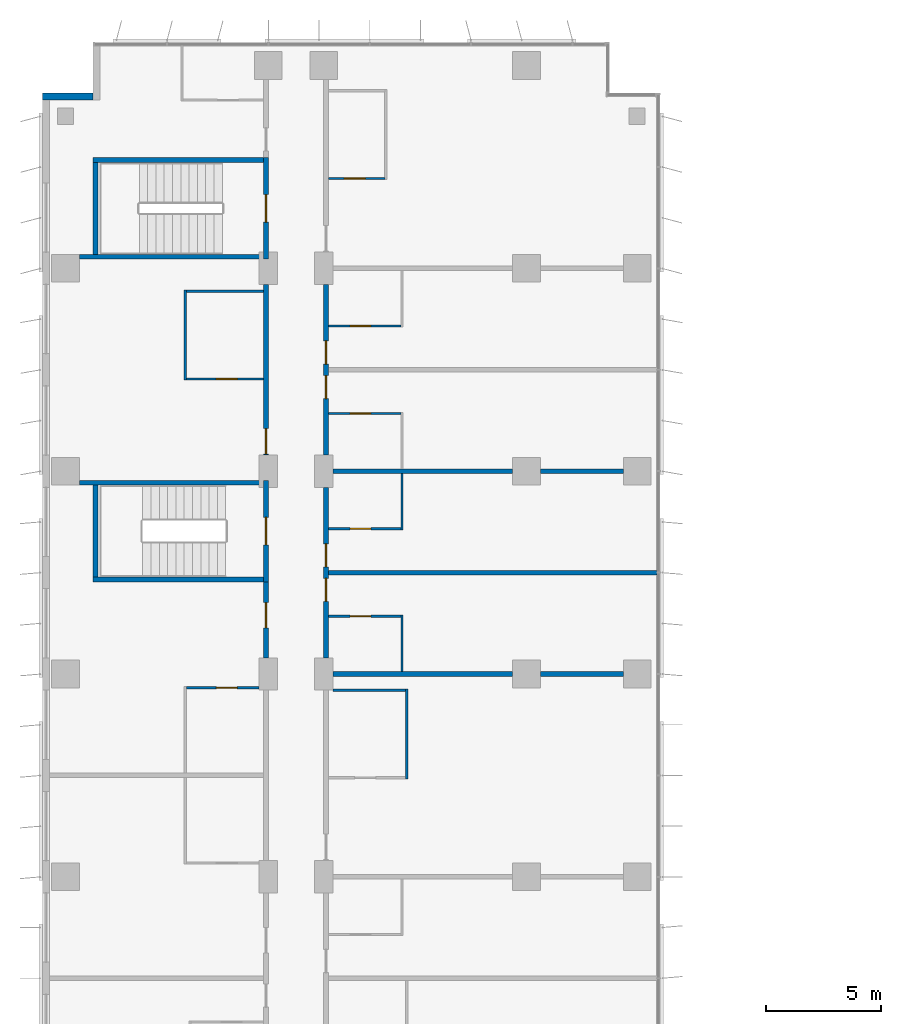
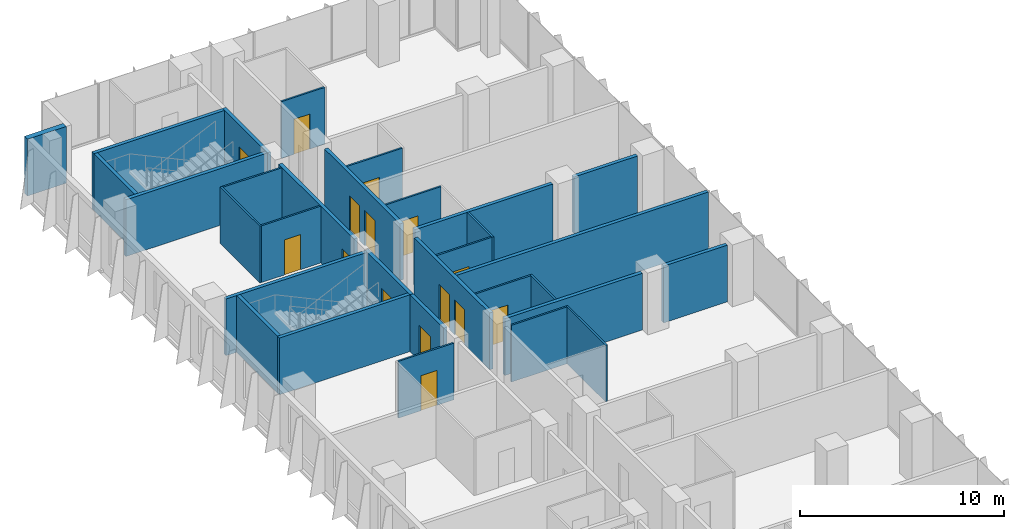
# One storey, part 16 of 22: 31 walls, 15 doors, 15 openings.
"""IFC4 building model written with IfcOpenShell, lengths in metres."""

from ifc_helpers import new_model, si_unit, direction, frame, frame_2d, origin, place, context, subcontext, project, spatial, rectangle, extrude, material, layer, layer_set, type_object, element, fill, save


model = new_model("IFC4")

# Units and contexts
model_context = context("Model", 3, precision=1e-05, world=origin(), true_north=direction((0.0, 1.0)))
body_context = subcontext(model_context, "Body", "Model", "MODEL_VIEW")
ifc_project = project(units=[si_unit("LENGTHUNIT", "METRE"), si_unit("AREAUNIT", "SQUARE_METRE"), si_unit("VOLUMEUNIT", "CUBIC_METRE"), si_unit("PLANEANGLEUNIT", "RADIAN"), si_unit("MASSUNIT", "GRAM", prefix="KILO")], contexts=[model_context])

# Site, building, storey
site_placement = place(None, origin())
site = spatial("IfcSite", under=ifc_project, at=site_placement, CompositionType="ELEMENT")
building_placement = place(site_placement, origin())
building = spatial("IfcBuilding", under=site, at=building_placement, Name="Kemantara Hotel Tower", CompositionType="ELEMENT")
storey_placement = place(building_placement, frame((0.0, 0.0, 90.800048828125)))
storey = spatial("IfcBuildingStorey", under=building, at=storey_placement, Name="L21", CompositionType="ELEMENT", Elevation=90.800048828125)

# Wall
ifc_material_1 = material(Name="Bronze anodised aluminium cladding on insulated steel stud wall", Category="steel")
ifc_layer_1 = layer(ifc_material_1, 0.300048828125)
ifc_layer_set_1 = layer_set([ifc_layer_1], Name="Bronze anodised aluminium cladding on insulated steel stud wall")
wall_type_1 = type_object("IfcWallType", Name="BRONZE METAL-CLAD EXTERNAL WALL 300", PredefinedType="STANDARD", material=ifc_layer_set_1)
wall_1_placement = place(storey_placement, frame((2.199951171875, 78.85009765625, 0.0), z_axis=(0.0, 0.0, 1.0), x_axis=(-1.0, 0.0, 0.0)))
element("IfcWall", 1, at=wall_1_placement, inside=storey, type_object=wall_type_1, Name="EXTERNAL WALL L21 T2-R03", PredefinedType="STANDARD", context=body_context, shape_type="SweptSolid", body=[
    extrude(rectangle(XDim=2.199951171875, YDim=0.300048828125, at=frame_2d((1.10009765625, 0.0))), origin(), (0.0, 0.0, 1.0), 3.39990234375),
])

# Wall, opening, door
ifc_material_2 = material(Name="Gypsum board partition, steel studs and mineral wool, 200 mm", Category="steel")
ifc_layer_2 = layer(ifc_material_2, 0.199951171875)
ifc_layer_set_2 = layer_set([ifc_layer_2], Name="Gypsum board partition, steel studs and mineral wool, 200 mm")
wall_type_2 = type_object("IfcWallType", Name="CORRIDOR WALL 200", PredefinedType="PARTITIONING", material=ifc_layer_set_2)
wall_2_placement = place(storey_placement, frame((9.699951171875, 54.5, 0.0), z_axis=(0.0, 0.0, 1.0), x_axis=(0.0, 1.0, 0.0)))
wall_2 = element("IfcWall", 2, at=wall_2_placement, inside=storey, type_object=wall_type_2, Name="CORRIDOR WALL 200 021", PredefinedType="PARTITIONING", context=body_context, shape_type="SweptSolid", body=[
    extrude(rectangle(XDim=3.300048828125, YDim=0.199951171875, at=frame_2d((1.64990234375, 0.0))), origin(), (0.0, 0.0, 1.0), 3.39990234375),
])
opening_1_placement = place(wall_2_placement, frame((1.2998046875, 0.0, 0.0)))
opening_1 = element("IfcOpeningElement", 3, at=opening_1_placement, cuts=wall_2, Name="Opening F08-027", PredefinedType="OPENING", context=body_context, shape_type="SweptSolid", body=[
    extrude(rectangle(XDim=1.10009765625, YDim=2.10009765625, at=frame_2d((0.550048828125, 1.050048828125))), frame((0.0, 0.10986328125, 0.0), z_axis=(0.0, -1.0, 0.0), x_axis=(1.0, 0.0, 0.0)), (0.0, 0.0, 1.0), 0.219970703125),
])
ifc_material_3 = material(Name="Hardwood veneer door leaf with steel frame", Category="steel")
door_type_1 = type_object("IfcDoorType", Name="SUITE ENTRANCE DOOR 1100 X 2100 FD30S", OperationType="NOTDEFINED", PredefinedType="DOOR", material=ifc_material_3)
door_1_placement = place(opening_1_placement, origin())
door_1 = element("IfcDoor", 4, at=door_1_placement, inside=storey, type_object=door_type_1, Name="SUITE ENTRANCE DOOR F08-027", OperationType="SINGLE_SWING_RIGHT", OverallHeight=2.10009765625, OverallWidth=1.10009765625, PredefinedType="DOOR", context=body_context, shape_type="SweptSolid", body=[
    extrude(rectangle(XDim=1.10009765625, YDim=2.10009765625, at=frame_2d((0.550048828125, 1.050048828125))), frame((0.0, 0.02490234375, 0.0), z_axis=(0.0, -1.0, 0.0), x_axis=(1.0, 0.0, 0.0)), (0.0, 0.0, 1.0), 0.050048828125),
])
fill(opening_1, door_1)

wall_3_placement = place(storey_placement, frame((9.699951171875, 63.300048828125, 0.0), z_axis=(0.0, 0.0, 1.0), x_axis=(0.0, 1.0, 0.0)))
wall_3 = element("IfcWall", 5, at=wall_3_placement, inside=storey, type_object=wall_type_2, Name="CORRIDOR WALL 200 022", PredefinedType="PARTITIONING", context=body_context, shape_type="SweptSolid", body=[
    extrude(rectangle(XDim=7.39990234375, YDim=0.199951171875, at=frame_2d((3.699951171875, 0.0))), origin(), (0.0, 0.0, 1.0), 3.39990234375),
])
opening_2_placement = place(wall_3_placement, frame((0.0498046875, 0.0, 0.0)))
opening_2 = element("IfcOpeningElement", 6, at=opening_2_placement, cuts=wall_3, Name="Opening F08-029", PredefinedType="OPENING", context=body_context, shape_type="SweptSolid", body=[
    extrude(rectangle(XDim=1.10009765625, YDim=2.10009765625, at=frame_2d((0.550048828125, 1.050048828125))), frame((0.0, 0.10986328125, 0.0), z_axis=(0.0, -1.0, 0.0), x_axis=(1.0, 0.0, 0.0)), (0.0, 0.0, 1.0), 0.219970703125),
])
door_2_placement = place(opening_2_placement, origin())
door_2 = element("IfcDoor", 7, at=door_2_placement, inside=storey, type_object=door_type_1, Name="SUITE ENTRANCE DOOR F08-029", OperationType="SINGLE_SWING_LEFT", OverallHeight=2.10009765625, OverallWidth=1.10009765625, PredefinedType="DOOR", context=body_context, shape_type="SweptSolid", body=[
    extrude(rectangle(XDim=1.10009765625, YDim=2.10009765625, at=frame_2d((0.550048828125, 1.050048828125))), frame((0.0, 0.02490234375, 0.0), z_axis=(0.0, -1.0, 0.0), x_axis=(1.0, 0.0, 0.0)), (0.0, 0.0, 1.0), 0.050048828125),
])
fill(opening_2, door_2)

# Wall, openings, doors
wall_4_placement = place(storey_placement, frame((12.300048828125, 61.89990234375, 0.0), z_axis=(0.0, 0.0, 1.0), x_axis=(0.0, -1.0, 0.0)))
wall_4 = element("IfcWall", 8, at=wall_4_placement, inside=storey, type_object=wall_type_2, Name="CORRIDOR WALL 200 034", PredefinedType="PARTITIONING", context=body_context, shape_type="SweptSolid", body=[
    extrude(rectangle(XDim=7.39990234375, YDim=0.199951171875, at=frame_2d((3.699951171875, 0.0))), origin(), (0.0, 0.0, 1.0), 3.39990234375),
])
opening_3_placement = place(wall_4_placement, frame((3.949951171875, 0.0, 0.0)))
opening_3 = element("IfcOpeningElement", 9, at=opening_3_placement, cuts=wall_4, Name="Opening F08-041", PredefinedType="OPENING", context=body_context, shape_type="SweptSolid", body=[
    extrude(rectangle(XDim=1.0, YDim=2.10009765625, at=frame_2d((0.5, 1.050048828125))), frame((0.0, 0.10986328125, 0.0), z_axis=(0.0, -1.0, 0.0), x_axis=(1.0, 0.0, 0.0)), (0.0, 0.0, 1.0), 0.219970703125),
])
opening_4_placement = place(wall_4_placement, frame((2.449951171875, 0.0, 0.0)))
opening_4 = element("IfcOpeningElement", 10, at=opening_4_placement, cuts=wall_4, Name="Opening F08-043", PredefinedType="OPENING", context=body_context, shape_type="SweptSolid", body=[
    extrude(rectangle(XDim=1.0, YDim=2.10009765625, at=frame_2d((0.5, 1.050048828125))), frame((0.0, 0.10986328125, 0.0), z_axis=(0.0, -1.0, 0.0), x_axis=(1.0, 0.0, 0.0)), (0.0, 0.0, 1.0), 0.219970703125),
])
door_type_2 = type_object("IfcDoorType", Name="GUEST ROOM DOOR 1000 X 2100 FD30S", OperationType="NOTDEFINED", PredefinedType="DOOR", material=ifc_material_3)
door_3_placement = place(opening_3_placement, origin())
door_3 = element("IfcDoor", 11, at=door_3_placement, inside=storey, type_object=door_type_2, Name="GUEST ROOM DOOR F08-041", OperationType="SINGLE_SWING_LEFT", OverallHeight=2.10009765625, OverallWidth=1.0, PredefinedType="DOOR", context=body_context, shape_type="SweptSolid", body=[
    extrude(rectangle(XDim=1.0, YDim=2.10009765625, at=frame_2d((0.5, 1.050048828125))), frame((0.0, 0.02490234375, 0.0), z_axis=(0.0, -1.0, 0.0), x_axis=(1.0, 0.0, 0.0)), (0.0, 0.0, 1.0), 0.050048828125),
])
fill(opening_3, door_3)
door_4_placement = place(opening_4_placement, origin())
door_4 = element("IfcDoor", 12, at=door_4_placement, inside=storey, type_object=door_type_2, Name="GUEST ROOM DOOR F08-043", OperationType="SINGLE_SWING_RIGHT", OverallHeight=2.10009765625, OverallWidth=1.0, PredefinedType="DOOR", context=body_context, shape_type="SweptSolid", body=[
    extrude(rectangle(XDim=1.0, YDim=2.10009765625, at=frame_2d((0.5, 1.050048828125))), frame((0.0, 0.02490234375, 0.0), z_axis=(0.0, -1.0, 0.0), x_axis=(1.0, 0.0, 0.0)), (0.0, 0.0, 1.0), 0.050048828125),
])
fill(opening_4, door_4)

wall_5_placement = place(storey_placement, frame((12.300048828125, 70.699951171875, 0.0), z_axis=(0.0, 0.0, 1.0), x_axis=(0.0, -1.0, 0.0)))
wall_5 = element("IfcWall", 13, at=wall_5_placement, inside=storey, type_object=wall_type_2, Name="CORRIDOR WALL 200 035", PredefinedType="PARTITIONING", context=body_context, shape_type="SweptSolid", body=[
    extrude(rectangle(XDim=7.39990234375, YDim=0.199951171875, at=frame_2d((3.699951171875, 0.0))), origin(), (0.0, 0.0, 1.0), 3.39990234375),
])
opening_5_placement = place(wall_5_placement, frame((3.949951171875, 0.0, 0.0)))
opening_5 = element("IfcOpeningElement", 14, at=opening_5_placement, cuts=wall_5, Name="Opening F08-045", PredefinedType="OPENING", context=body_context, shape_type="SweptSolid", body=[
    extrude(rectangle(XDim=1.0, YDim=2.10009765625, at=frame_2d((0.5, 1.050048828125))), frame((0.0, 0.10986328125, 0.0), z_axis=(0.0, -1.0, 0.0), x_axis=(1.0, 0.0, 0.0)), (0.0, 0.0, 1.0), 0.219970703125),
])
opening_6_placement = place(wall_5_placement, frame((2.449951171875, 0.0, 0.0)))
opening_6 = element("IfcOpeningElement", 15, at=opening_6_placement, cuts=wall_5, Name="Opening F08-047", PredefinedType="OPENING", context=body_context, shape_type="SweptSolid", body=[
    extrude(rectangle(XDim=1.0, YDim=2.10009765625, at=frame_2d((0.5, 1.050048828125))), frame((0.0, 0.10986328125, 0.0), z_axis=(0.0, -1.0, 0.0), x_axis=(1.0, 0.0, 0.0)), (0.0, 0.0, 1.0), 0.219970703125),
])
door_5_placement = place(opening_5_placement, origin())
door_5 = element("IfcDoor", 16, at=door_5_placement, inside=storey, type_object=door_type_2, Name="GUEST ROOM DOOR F08-045", OperationType="SINGLE_SWING_LEFT", OverallHeight=2.10009765625, OverallWidth=1.0, PredefinedType="DOOR", context=body_context, shape_type="SweptSolid", body=[
    extrude(rectangle(XDim=1.0, YDim=2.10009765625, at=frame_2d((0.5, 1.050048828125))), frame((0.0, 0.02490234375, 0.0), z_axis=(0.0, -1.0, 0.0), x_axis=(1.0, 0.0, 0.0)), (0.0, 0.0, 1.0), 0.050048828125),
])
fill(opening_5, door_5)
door_6_placement = place(opening_6_placement, origin())
door_6 = element("IfcDoor", 17, at=door_6_placement, inside=storey, type_object=door_type_2, Name="GUEST ROOM DOOR F08-047", OperationType="SINGLE_SWING_RIGHT", OverallHeight=2.10009765625, OverallWidth=1.0, PredefinedType="DOOR", context=body_context, shape_type="SweptSolid", body=[
    extrude(rectangle(XDim=1.0, YDim=2.10009765625, at=frame_2d((0.5, 1.050048828125))), frame((0.0, 0.02490234375, 0.0), z_axis=(0.0, -1.0, 0.0), x_axis=(1.0, 0.0, 0.0)), (0.0, 0.0, 1.0), 0.050048828125),
])
fill(opening_6, door_6)

# Wall, opening, door
ifc_material_4 = material(Name="Concrete fc 40 MPa", Category="concrete")
ifc_layer_3 = layer(ifc_material_4, 0.199951171875)
ifc_layer_set_3 = layer_set([ifc_layer_3], Name="Concrete fc 40 MPa")
wall_type_3 = type_object("IfcWallType", Name="Concrete stair wall 200 mm", PredefinedType="SHEAR", material=ifc_layer_set_3)
wall_6_placement = place(storey_placement, frame((9.699951171875, 57.800048828125, 0.0), z_axis=(0.0, 0.0, 1.0), x_axis=(0.0, 1.0, 0.0)))
wall_6 = element("IfcWall", 18, at=wall_6_placement, inside=storey, type_object=wall_type_3, Name="Stair ST4 enclosure wall with door", PredefinedType="SHEAR", context=body_context, shape_type="SweptSolid", body=[
    extrude(rectangle(XDim=4.39990234375, YDim=0.199951171875, at=frame_2d((2.199951171875, 0.0))), origin(), (0.0, 0.0, 1.0), 3.39990234375),
])
opening_7_placement = place(wall_6_placement, frame((1.60009765625, 0.0, 0.0)))
opening_7 = element("IfcOpeningElement", 19, at=opening_7_placement, cuts=wall_6, Name="Opening ST4-C", PredefinedType="OPENING", context=body_context, shape_type="SweptSolid", body=[
    extrude(rectangle(XDim=1.199951171875, YDim=2.10009765625, at=frame_2d((0.60009765625, 1.050048828125))), frame((0.0, 0.10986328125, 0.0), z_axis=(0.0, -1.0, 0.0), x_axis=(1.0, 0.0, 0.0)), (0.0, 0.0, 1.0), 0.219970703125),
])
ifc_material_5 = material(Name="Steel fire door", Category="steel")
door_type_3 = type_object("IfcDoorType", Name="Fire door FD90 1200 x 2100", OperationType="NOTDEFINED", PredefinedType="DOOR", material=ifc_material_5)
door_7_placement = place(opening_7_placement, origin())
door_7 = element("IfcDoor", 20, at=door_7_placement, inside=storey, type_object=door_type_3, Name="Stair ST4 door", OperationType="SINGLE_SWING_RIGHT", OverallHeight=2.10009765625, OverallWidth=1.199951171875, PredefinedType="DOOR", context=body_context, shape_type="SweptSolid", body=[
    extrude(rectangle(XDim=1.199951171875, YDim=2.10009765625, at=frame_2d((0.60009765625, 1.050048828125))), frame((0.0, 0.02490234375, 0.0), z_axis=(0.0, -1.0, 0.0), x_axis=(1.0, 0.0, 0.0)), (0.0, 0.0, 1.0), 0.050048828125),
])
fill(opening_7, door_7)

# Walls
wall_7_placement = place(storey_placement, frame((1.60009765625, 62.10009765625, 0.0), z_axis=(0.0, 0.0, 1.0), x_axis=(1.0, 0.0, 0.0)))
element("IfcWall", 21, at=wall_7_placement, inside=storey, type_object=wall_type_3, Name="Stair ST4 enclosure wall N", PredefinedType="SHEAR", context=body_context, shape_type="SweptSolid", body=[
    extrude(rectangle(XDim=8.0, YDim=0.199951171875, at=frame_2d((4.0, 0.0))), origin(), (0.0, 0.0, 1.0), 3.39990234375),
])
wall_8_placement = place(storey_placement, frame((2.199951171875, 57.89990234375, 0.0), z_axis=(0.0, 0.0, 1.0), x_axis=(1.0, 0.0, 0.0)))
element("IfcWall", 22, at=wall_8_placement, inside=storey, type_object=wall_type_3, Name="Stair ST4 enclosure wall S", PredefinedType="SHEAR", context=body_context, shape_type="SweptSolid", body=[
    extrude(rectangle(XDim=7.400146484375, YDim=0.199951171875, at=frame_2d((3.7001953125, 0.0))), origin(), (0.0, 0.0, 1.0), 3.39990234375),
])
wall_9_placement = place(storey_placement, frame((2.300048828125, 58.0, 0.0), z_axis=(0.0, 0.0, 1.0), x_axis=(0.0, 1.0, 0.0)))
element("IfcWall", 23, at=wall_9_placement, inside=storey, type_object=wall_type_3, Name="Stair ST4 enclosure wall W", PredefinedType="SHEAR", context=body_context, shape_type="SweptSolid", body=[
    extrude(rectangle(XDim=4.0, YDim=0.199951171875, at=frame_2d((2.0, 0.0))), origin(), (0.0, 0.0, 1.0), 3.39990234375),
])

# Wall, opening, door
wall_10_placement = place(storey_placement, frame((9.699951171875, 71.800048828125, 0.0), z_axis=(0.0, 0.0, 1.0), x_axis=(0.0, 1.0, 0.0)))
wall_10 = element("IfcWall", 24, at=wall_10_placement, inside=storey, type_object=wall_type_3, Name="Stair ST6 enclosure wall with door", PredefinedType="SHEAR", context=body_context, shape_type="SweptSolid", body=[
    extrude(rectangle(XDim=4.39990234375, YDim=0.199951171875, at=frame_2d((2.199951171875, 0.0))), origin(), (0.0, 0.0, 1.0), 3.39990234375),
])
opening_8_placement = place(wall_10_placement, frame((1.60009765625, 0.0, 0.0)))
opening_8 = element("IfcOpeningElement", 25, at=opening_8_placement, cuts=wall_10, Name="Opening ST6-C", PredefinedType="OPENING", context=body_context, shape_type="SweptSolid", body=[
    extrude(rectangle(XDim=1.199951171875, YDim=2.10009765625, at=frame_2d((0.60009765625, 1.050048828125))), frame((0.0, 0.10986328125, 0.0), z_axis=(0.0, -1.0, 0.0), x_axis=(1.0, 0.0, 0.0)), (0.0, 0.0, 1.0), 0.219970703125),
])
door_8_placement = place(opening_8_placement, origin())
door_8 = element("IfcDoor", 26, at=door_8_placement, inside=storey, type_object=door_type_3, Name="Stair ST6 door", OperationType="SINGLE_SWING_RIGHT", OverallHeight=2.10009765625, OverallWidth=1.199951171875, PredefinedType="DOOR", context=body_context, shape_type="SweptSolid", body=[
    extrude(rectangle(XDim=1.199951171875, YDim=2.10009765625, at=frame_2d((0.60009765625, 1.050048828125))), frame((0.0, 0.02490234375, 0.0), z_axis=(0.0, -1.0, 0.0), x_axis=(1.0, 0.0, 0.0)), (0.0, 0.0, 1.0), 0.050048828125),
])
fill(opening_8, door_8)

# Walls
wall_11_placement = place(storey_placement, frame((2.199951171875, 76.10009765625, 0.0), z_axis=(0.0, 0.0, 1.0), x_axis=(1.0, 0.0, 0.0)))
element("IfcWall", 27, at=wall_11_placement, inside=storey, type_object=wall_type_3, Name="Stair ST6 enclosure wall N", PredefinedType="SHEAR", context=body_context, shape_type="SweptSolid", body=[
    extrude(rectangle(XDim=7.400146484375, YDim=0.199951171875, at=frame_2d((3.7001953125, 0.0))), origin(), (0.0, 0.0, 1.0), 3.39990234375),
])
wall_12_placement = place(storey_placement, frame((1.60009765625, 71.89990234375, 0.0), z_axis=(0.0, 0.0, 1.0), x_axis=(1.0, 0.0, 0.0)))
element("IfcWall", 28, at=wall_12_placement, inside=storey, type_object=wall_type_3, Name="Stair ST6 enclosure wall S", PredefinedType="SHEAR", context=body_context, shape_type="SweptSolid", body=[
    extrude(rectangle(XDim=8.0, YDim=0.199951171875, at=frame_2d((4.0, 0.0))), origin(), (0.0, 0.0, 1.0), 3.39990234375),
])
wall_13_placement = place(storey_placement, frame((2.300048828125, 72.0, 0.0), z_axis=(0.0, 0.0, 1.0), x_axis=(0.0, 1.0, 0.0)))
element("IfcWall", 29, at=wall_13_placement, inside=storey, type_object=wall_type_3, Name="Stair ST6 enclosure wall W", PredefinedType="SHEAR", context=body_context, shape_type="SweptSolid", body=[
    extrude(rectangle(XDim=4.0, YDim=0.199951171875, at=frame_2d((2.0, 0.0))), origin(), (0.0, 0.0, 1.0), 3.39990234375),
])
ifc_layer_4 = layer(ifc_material_2, 0.199951171875)
ifc_layer_set_4 = layer_set([ifc_layer_4], Name="Gypsum board partition, steel studs and mineral wool, 200 mm")
wall_type_4 = type_object("IfcWallType", Name="GUEST ROOM PARTY WALL 200", PredefinedType="PARTITIONING", material=ifc_layer_set_4)
wall_14_placement = place(storey_placement, frame((12.60009765625, 53.800048828125, 0.0), z_axis=(0.0, 0.0, 1.0), x_axis=(1.0, 0.0, 0.0)))
element("IfcWall", 30, at=wall_14_placement, inside=storey, type_object=wall_type_4, Name="GUEST ROOM PARTY WALL 200 042", PredefinedType="PARTITIONING", context=body_context, shape_type="SweptSolid", body=[
    extrude(rectangle(XDim=7.7998046875, YDim=0.199951171875, at=frame_2d((3.89990234375, 0.0))), origin(), (0.0, 0.0, 1.0), 3.39990234375),
])
wall_15_placement = place(storey_placement, frame((21.60009765625, 53.800048828125, 0.0), z_axis=(0.0, 0.0, 1.0), x_axis=(1.0, 0.0, 0.0)))
element("IfcWall", 31, at=wall_15_placement, inside=storey, type_object=wall_type_4, Name="GUEST ROOM PARTY WALL 200 043", PredefinedType="PARTITIONING", context=body_context, shape_type="SweptSolid", body=[
    extrude(rectangle(XDim=3.599853515625, YDim=0.199951171875, at=frame_2d((1.7998046875, 0.0))), origin(), (0.0, 0.0, 1.0), 3.39990234375),
])
wall_16_placement = place(storey_placement, frame((12.39990234375, 58.199951171875, 0.0), z_axis=(0.0, 0.0, 1.0), x_axis=(1.0, 0.0, 0.0)))
element("IfcWall", 32, at=wall_16_placement, inside=storey, type_object=wall_type_4, Name="GUEST ROOM PARTY WALL 200 044", PredefinedType="PARTITIONING", context=body_context, shape_type="SweptSolid", body=[
    extrude(rectangle(XDim=14.27001953125, YDim=0.199951171875, at=frame_2d((7.135009765625, 0.0))), origin(), (0.0, 0.0, 1.0), 3.39990234375),
])
wall_17_placement = place(storey_placement, frame((12.60009765625, 62.60009765625, 0.0), z_axis=(0.0, 0.0, 1.0), x_axis=(1.0, 0.0, 0.0)))
element("IfcWall", 33, at=wall_17_placement, inside=storey, type_object=wall_type_4, Name="GUEST ROOM PARTY WALL 200 045", PredefinedType="PARTITIONING", context=body_context, shape_type="SweptSolid", body=[
    extrude(rectangle(XDim=7.7998046875, YDim=0.199951171875, at=frame_2d((3.89990234375, 0.0))), origin(), (0.0, 0.0, 1.0), 3.39990234375),
])
wall_18_placement = place(storey_placement, frame((21.60009765625, 62.60009765625, 0.0), z_axis=(0.0, 0.0, 1.0), x_axis=(1.0, 0.0, 0.0)))
element("IfcWall", 34, at=wall_18_placement, inside=storey, type_object=wall_type_4, Name="GUEST ROOM PARTY WALL 200 046", PredefinedType="PARTITIONING", context=body_context, shape_type="SweptSolid", body=[
    extrude(rectangle(XDim=3.599853515625, YDim=0.199951171875, at=frame_2d((1.7998046875, 0.0))), origin(), (0.0, 0.0, 1.0), 3.39990234375),
])
ifc_material_6 = material(Name="Gypsum board partition on steel studs, 100 mm", Category="steel")
ifc_layer_5 = layer(ifc_material_6, 0.10009765625)
ifc_layer_set_5 = layer_set([ifc_layer_5], Name="Gypsum board partition on steel studs, 100 mm")
wall_type_5 = type_object("IfcWallType", Name="ROOM PARTITION 100", PredefinedType="PARTITIONING", material=ifc_layer_set_5)
wall_19_placement = place(storey_placement, frame((6.199951171875, 66.550048828125, 0.0), z_axis=(0.0, 0.0, 1.0), x_axis=(0.0, 1.0, 0.0)))
element("IfcWall", 35, at=wall_19_placement, inside=storey, type_object=wall_type_5, Name="ROOM PARTITION 100 076", PredefinedType="PARTITIONING", context=body_context, shape_type="SweptSolid", body=[
    extrude(rectangle(XDim=3.89990234375, YDim=0.10009765625, at=frame_2d((1.949951171875, 0.0))), origin(), (0.0, 0.0, 1.0), 3.39990234375),
])

# Wall, opening, door
wall_20_placement = place(storey_placement, frame((9.39990234375, 53.199951171875, 0.0), z_axis=(0.0, 0.0, 1.0), x_axis=(-1.0, 0.0, 0.0)))
wall_20 = element("IfcWall", 36, at=wall_20_placement, inside=storey, type_object=wall_type_5, Name="ROOM PARTITION 100 081", PredefinedType="PARTITIONING", context=body_context, shape_type="SweptSolid", body=[
    extrude(rectangle(XDim=3.14990234375, YDim=0.10009765625, at=frame_2d((1.574951171875, 0.0))), origin(), (0.0, 0.0, 1.0), 3.39990234375),
])
opening_9_placement = place(wall_20_placement, frame((0.949951171875, 0.0, 0.0)))
opening_9 = element("IfcOpeningElement", 37, at=opening_9_placement, cuts=wall_20, Name="Opening F08-028", PredefinedType="OPENING", context=body_context, shape_type="SweptSolid", body=[
    extrude(rectangle(XDim=0.89990234375, YDim=2.10009765625, at=frame_2d((0.449951171875, 1.050048828125))), frame((0.0, 0.06005859375, 0.0), z_axis=(0.0, -1.0, 0.0), x_axis=(1.0, 0.0, 0.0)), (0.0, 0.0, 1.0), 0.1201171875),
])
door_type_4 = type_object("IfcDoorType", Name="BATHROOM DOOR 900 X 2100", OperationType="NOTDEFINED", PredefinedType="DOOR", material=ifc_material_3)
door_9_placement = place(opening_9_placement, origin())
door_9 = element("IfcDoor", 38, at=door_9_placement, inside=storey, type_object=door_type_4, Name="BATHROOM DOOR F08-028", OperationType="SINGLE_SWING_LEFT", OverallHeight=2.10009765625, OverallWidth=0.89990234375, PredefinedType="DOOR", context=body_context, shape_type="SweptSolid", body=[
    extrude(rectangle(XDim=0.89990234375, YDim=2.10009765625, at=frame_2d((0.449951171875, 1.050048828125))), frame((0.0, 0.02490234375, 0.0), z_axis=(0.0, -1.0, 0.0), x_axis=(1.0, 0.0, 0.0)), (0.0, 0.0, 1.0), 0.050048828125),
])
fill(opening_9, door_9)

wall_21_placement = place(storey_placement, frame((6.25, 66.60009765625, 0.0), z_axis=(0.0, 0.0, 1.0), x_axis=(1.0, 0.0, 0.0)))
wall_21 = element("IfcWall", 39, at=wall_21_placement, inside=storey, type_object=wall_type_5, Name="ROOM PARTITION 100 082", PredefinedType="PARTITIONING", context=body_context, shape_type="SweptSolid", body=[
    extrude(rectangle(XDim=3.35009765625, YDim=0.10009765625, at=frame_2d((1.675048828125, 0.0))), origin(), (0.0, 0.0, 1.0), 3.39990234375),
])
opening_10_placement = place(wall_21_placement, frame((1.300048828125, 0.0, 0.0)))
opening_10 = element("IfcOpeningElement", 40, at=opening_10_placement, cuts=wall_21, Name="Opening F08-030", PredefinedType="OPENING", context=body_context, shape_type="SweptSolid", body=[
    extrude(rectangle(XDim=0.89990234375, YDim=2.10009765625, at=frame_2d((0.449951171875, 1.050048828125))), frame((0.0, 0.06005859375, 0.0), z_axis=(0.0, -1.0, 0.0), x_axis=(1.0, 0.0, 0.0)), (0.0, 0.0, 1.0), 0.1201171875),
])
door_10_placement = place(opening_10_placement, origin())
door_10 = element("IfcDoor", 41, at=door_10_placement, inside=storey, type_object=door_type_4, Name="BATHROOM DOOR F08-030", OperationType="SINGLE_SWING_RIGHT", OverallHeight=2.10009765625, OverallWidth=0.89990234375, PredefinedType="DOOR", context=body_context, shape_type="SweptSolid", body=[
    extrude(rectangle(XDim=0.89990234375, YDim=2.10009765625, at=frame_2d((0.449951171875, 1.050048828125))), frame((0.0, 0.02490234375, 0.0), z_axis=(0.0, -1.0, 0.0), x_axis=(1.0, 0.0, 0.0)), (0.0, 0.0, 1.0), 0.050048828125),
])
fill(opening_10, door_10)

# Walls
wall_22_placement = place(storey_placement, frame((6.25, 70.39990234375, 0.0), z_axis=(0.0, 0.0, 1.0), x_axis=(1.0, 0.0, 0.0)))
element("IfcWall", 42, at=wall_22_placement, inside=storey, type_object=wall_type_5, Name="ROOM PARTITION 100 083", PredefinedType="PARTITIONING", context=body_context, shape_type="SweptSolid", body=[
    extrude(rectangle(XDim=3.35009765625, YDim=0.10009765625, at=frame_2d((1.675048828125, 0.0))), origin(), (0.0, 0.0, 1.0), 3.39990234375),
])
wall_23_placement = place(storey_placement, frame((15.800048828125, 49.25, 0.0), z_axis=(0.0, 0.0, 1.0), x_axis=(0.0, 1.0, 0.0)))
element("IfcWall", 43, at=wall_23_placement, inside=storey, type_object=wall_type_5, Name="ROOM PARTITION 100 087", PredefinedType="PARTITIONING", context=body_context, shape_type="SweptSolid", body=[
    extrude(rectangle(XDim=3.89990234375, YDim=0.10009765625, at=frame_2d((1.949951171875, 0.0))), origin(), (0.0, 0.0, 1.0), 3.39990234375),
])
wall_24_placement = place(storey_placement, frame((15.60009765625, 53.89990234375, 0.0), z_axis=(0.0, 0.0, 1.0), x_axis=(0.0, 1.0, 0.0)))
element("IfcWall", 44, at=wall_24_placement, inside=storey, type_object=wall_type_5, Name="ROOM PARTITION 100 091", PredefinedType="PARTITIONING", context=body_context, shape_type="SweptSolid", body=[
    extrude(rectangle(XDim=2.4501953125, YDim=0.10009765625, at=frame_2d((1.22509765625, 0.0))), origin(), (0.0, 0.0, 1.0), 3.39990234375),
])
wall_25_placement = place(storey_placement, frame((15.60009765625, 60.050048828125, 0.0), z_axis=(0.0, 0.0, 1.0), x_axis=(0.0, 1.0, 0.0)))
element("IfcWall", 45, at=wall_25_placement, inside=storey, type_object=wall_type_5, Name="ROOM PARTITION 100 092", PredefinedType="PARTITIONING", context=body_context, shape_type="SweptSolid", body=[
    extrude(rectangle(XDim=2.449951171875, YDim=0.10009765625, at=frame_2d((1.22509765625, 0.0))), origin(), (0.0, 0.0, 1.0), 3.39990234375),
])
wall_26_placement = place(storey_placement, frame((12.60009765625, 53.10009765625, 0.0), z_axis=(0.0, 0.0, 1.0), x_axis=(1.0, 0.0, 0.0)))
element("IfcWall", 46, at=wall_26_placement, inside=storey, type_object=wall_type_5, Name="ROOM PARTITION 100 097", PredefinedType="PARTITIONING", context=body_context, shape_type="SweptSolid", body=[
    extrude(rectangle(XDim=3.14990234375, YDim=0.10009765625, at=frame_2d((1.574951171875, 0.0))), origin(), (0.0, 0.0, 1.0), 3.39990234375),
])

# Wall, opening, door
wall_27_placement = place(storey_placement, frame((15.550048828125, 56.300048828125, 0.0), z_axis=(0.0, 0.0, 1.0), x_axis=(-1.0, 0.0, 0.0)))
wall_27 = element("IfcWall", 47, at=wall_27_placement, inside=storey, type_object=wall_type_5, Name="ROOM PARTITION 100 098", PredefinedType="PARTITIONING", context=body_context, shape_type="SweptSolid", body=[
    extrude(rectangle(XDim=3.150146484375, YDim=0.10009765625, at=frame_2d((1.5751953125, 0.0))), origin(), (0.0, 0.0, 1.0), 3.39990234375),
])
opening_11_placement = place(wall_27_placement, frame((1.300048828125, 0.0, 0.0)))
opening_11 = element("IfcOpeningElement", 48, at=opening_11_placement, cuts=wall_27, Name="Opening F08-042", PredefinedType="OPENING", context=body_context, shape_type="SweptSolid", body=[
    extrude(rectangle(XDim=0.89990234375, YDim=2.10009765625, at=frame_2d((0.449951171875, 1.050048828125))), frame((0.0, 0.06005859375, 0.0), z_axis=(0.0, -1.0, 0.0), x_axis=(1.0, 0.0, 0.0)), (0.0, 0.0, 1.0), 0.1201171875),
])
door_11_placement = place(opening_11_placement, origin())
door_11 = element("IfcDoor", 49, at=door_11_placement, inside=storey, type_object=door_type_4, Name="BATHROOM DOOR F08-042", OperationType="SINGLE_SWING_RIGHT", OverallHeight=2.10009765625, OverallWidth=0.89990234375, PredefinedType="DOOR", context=body_context, shape_type="SweptSolid", body=[
    extrude(rectangle(XDim=0.89990234375, YDim=2.10009765625, at=frame_2d((0.449951171875, 1.050048828125))), frame((0.0, 0.02490234375, 0.0), z_axis=(0.0, -1.0, 0.0), x_axis=(1.0, 0.0, 0.0)), (0.0, 0.0, 1.0), 0.050048828125),
])
fill(opening_11, door_11)

wall_28_placement = place(storey_placement, frame((12.39990234375, 60.10009765625, 0.0), z_axis=(0.0, 0.0, 1.0), x_axis=(1.0, 0.0, 0.0)))
wall_28 = element("IfcWall", 50, at=wall_28_placement, inside=storey, type_object=wall_type_5, Name="ROOM PARTITION 100 099", PredefinedType="PARTITIONING", context=body_context, shape_type="SweptSolid", body=[
    extrude(rectangle(XDim=3.150146484375, YDim=0.10009765625, at=frame_2d((1.5751953125, 0.0))), origin(), (0.0, 0.0, 1.0), 3.39990234375),
])
opening_12_placement = place(wall_28_placement, frame((0.949951171875, 0.0, 0.0)))
opening_12 = element("IfcOpeningElement", 51, at=opening_12_placement, cuts=wall_28, Name="Opening F08-044", PredefinedType="OPENING", context=body_context, shape_type="SweptSolid", body=[
    extrude(rectangle(XDim=0.89990234375, YDim=2.10009765625, at=frame_2d((0.449951171875, 1.050048828125))), frame((0.0, 0.06005859375, 0.0), z_axis=(0.0, -1.0, 0.0), x_axis=(1.0, 0.0, 0.0)), (0.0, 0.0, 1.0), 0.1201171875),
])
door_12_placement = place(opening_12_placement, origin())
door_12 = element("IfcDoor", 52, at=door_12_placement, inside=storey, type_object=door_type_4, Name="BATHROOM DOOR F08-044", OperationType="SINGLE_SWING_LEFT", OverallHeight=2.10009765625, OverallWidth=0.89990234375, PredefinedType="DOOR", context=body_context, shape_type="SweptSolid", body=[
    extrude(rectangle(XDim=0.89990234375, YDim=2.10009765625, at=frame_2d((0.449951171875, 1.050048828125))), frame((0.0, 0.02490234375, 0.0), z_axis=(0.0, -1.0, 0.0), x_axis=(1.0, 0.0, 0.0)), (0.0, 0.0, 1.0), 0.050048828125),
])
fill(opening_12, door_12)

wall_29_placement = place(storey_placement, frame((15.550048828125, 65.10009765625, 0.0), z_axis=(0.0, 0.0, 1.0), x_axis=(-1.0, 0.0, 0.0)))
wall_29 = element("IfcWall", 53, at=wall_29_placement, inside=storey, type_object=wall_type_5, Name="ROOM PARTITION 100 100", PredefinedType="PARTITIONING", context=body_context, shape_type="SweptSolid", body=[
    extrude(rectangle(XDim=3.150146484375, YDim=0.10009765625, at=frame_2d((1.5751953125, 0.0))), origin(), (0.0, 0.0, 1.0), 3.39990234375),
])
opening_13_placement = place(wall_29_placement, frame((1.300048828125, 0.0, 0.0)))
opening_13 = element("IfcOpeningElement", 54, at=opening_13_placement, cuts=wall_29, Name="Opening F08-046", PredefinedType="OPENING", context=body_context, shape_type="SweptSolid", body=[
    extrude(rectangle(XDim=0.89990234375, YDim=2.10009765625, at=frame_2d((0.449951171875, 1.050048828125))), frame((0.0, 0.06005859375, 0.0), z_axis=(0.0, -1.0, 0.0), x_axis=(1.0, 0.0, 0.0)), (0.0, 0.0, 1.0), 0.1201171875),
])
door_13_placement = place(opening_13_placement, origin())
door_13 = element("IfcDoor", 55, at=door_13_placement, inside=storey, type_object=door_type_4, Name="BATHROOM DOOR F08-046", OperationType="SINGLE_SWING_RIGHT", OverallHeight=2.10009765625, OverallWidth=0.89990234375, PredefinedType="DOOR", context=body_context, shape_type="SweptSolid", body=[
    extrude(rectangle(XDim=0.89990234375, YDim=2.10009765625, at=frame_2d((0.449951171875, 1.050048828125))), frame((0.0, 0.02490234375, 0.0), z_axis=(0.0, -1.0, 0.0), x_axis=(1.0, 0.0, 0.0)), (0.0, 0.0, 1.0), 0.050048828125),
])
fill(opening_13, door_13)

wall_30_placement = place(storey_placement, frame((12.39990234375, 68.89990234375, 0.0), z_axis=(0.0, 0.0, 1.0), x_axis=(1.0, 0.0, 0.0)))
wall_30 = element("IfcWall", 56, at=wall_30_placement, inside=storey, type_object=wall_type_5, Name="ROOM PARTITION 100 101", PredefinedType="PARTITIONING", context=body_context, shape_type="SweptSolid", body=[
    extrude(rectangle(XDim=3.150146484375, YDim=0.10009765625, at=frame_2d((1.5751953125, 0.0))), origin(), (0.0, 0.0, 1.0), 3.39990234375),
])
opening_14_placement = place(wall_30_placement, frame((0.949951171875, 0.0, 0.0)))
opening_14 = element("IfcOpeningElement", 57, at=opening_14_placement, cuts=wall_30, Name="Opening F08-048", PredefinedType="OPENING", context=body_context, shape_type="SweptSolid", body=[
    extrude(rectangle(XDim=0.89990234375, YDim=2.10009765625, at=frame_2d((0.449951171875, 1.050048828125))), frame((0.0, 0.06005859375, 0.0), z_axis=(0.0, -1.0, 0.0), x_axis=(1.0, 0.0, 0.0)), (0.0, 0.0, 1.0), 0.1201171875),
])
door_14_placement = place(opening_14_placement, origin())
door_14 = element("IfcDoor", 58, at=door_14_placement, inside=storey, type_object=door_type_4, Name="BATHROOM DOOR F08-048", OperationType="SINGLE_SWING_LEFT", OverallHeight=2.10009765625, OverallWidth=0.89990234375, PredefinedType="DOOR", context=body_context, shape_type="SweptSolid", body=[
    extrude(rectangle(XDim=0.89990234375, YDim=2.10009765625, at=frame_2d((0.449951171875, 1.050048828125))), frame((0.0, 0.02490234375, 0.0), z_axis=(0.0, -1.0, 0.0), x_axis=(1.0, 0.0, 0.0)), (0.0, 0.0, 1.0), 0.050048828125),
])
fill(opening_14, door_14)

wall_31_placement = place(storey_placement, frame((12.39990234375, 75.300048828125, 0.0), z_axis=(0.0, 0.0, 1.0), x_axis=(1.0, 0.0, 0.0)))
wall_31 = element("IfcWall", 59, at=wall_31_placement, inside=storey, type_object=wall_type_5, Name="ROOM PARTITION 100 103", PredefinedType="PARTITIONING", context=body_context, shape_type="SweptSolid", body=[
    extrude(rectangle(XDim=2.4501953125, YDim=0.10009765625, at=frame_2d((1.22509765625, 0.0))), origin(), (0.0, 0.0, 1.0), 3.39990234375),
])
opening_15_placement = place(wall_31_placement, frame((0.699951171875, 0.0, 0.0)))
opening_15 = element("IfcOpeningElement", 60, at=opening_15_placement, cuts=wall_31, Name="Opening F08-050", PredefinedType="OPENING", context=body_context, shape_type="SweptSolid", body=[
    extrude(rectangle(XDim=0.89990234375, YDim=2.10009765625, at=frame_2d((0.449951171875, 1.050048828125))), frame((0.0, 0.06005859375, 0.0), z_axis=(0.0, -1.0, 0.0), x_axis=(1.0, 0.0, 0.0)), (0.0, 0.0, 1.0), 0.1201171875),
])
door_15_placement = place(opening_15_placement, origin())
door_15 = element("IfcDoor", 61, at=door_15_placement, inside=storey, type_object=door_type_4, Name="BATHROOM DOOR F08-050", OperationType="SINGLE_SWING_LEFT", OverallHeight=2.10009765625, OverallWidth=0.89990234375, PredefinedType="DOOR", context=body_context, shape_type="SweptSolid", body=[
    extrude(rectangle(XDim=0.89990234375, YDim=2.10009765625, at=frame_2d((0.449951171875, 1.050048828125))), frame((0.0, 0.02490234375, 0.0), z_axis=(0.0, -1.0, 0.0), x_axis=(1.0, 0.0, 0.0)), (0.0, 0.0, 1.0), 0.050048828125),
])
fill(opening_15, door_15)

save(model, "model.ifc")
